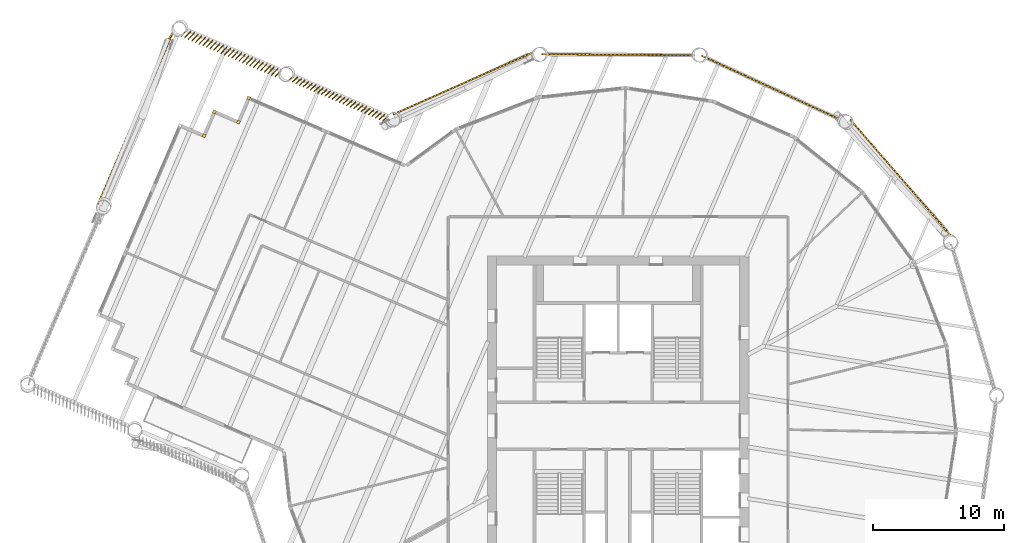
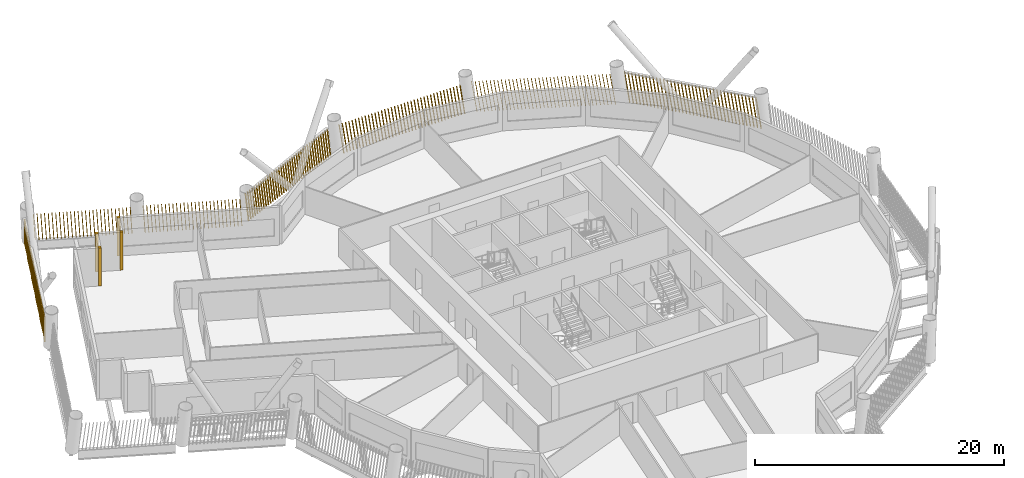
# One storey, part 21 of 22: 11 shading devices.
"""IFC4 building model written with IfcOpenShell, lengths in metres."""

from ifc_helpers import new_model, si_unit, direction, frame, frame_2d, origin, origin_2d, place, context, subcontext, project, spatial, rectangle, composite_profile, extrude, material, type_object, element, save


model = new_model("IFC4")

# Units and contexts
model_context = context("Model", 3, precision=1e-05, world=origin(), true_north=direction((0.0, 1.0)))
body_context = subcontext(model_context, "Body", "Model", "MODEL_VIEW")
ifc_project = project(units=[si_unit("LENGTHUNIT", "METRE"), si_unit("AREAUNIT", "SQUARE_METRE"), si_unit("VOLUMEUNIT", "CUBIC_METRE"), si_unit("PLANEANGLEUNIT", "RADIAN"), si_unit("MASSUNIT", "GRAM", prefix="KILO")], contexts=[model_context])

# Site, building, storey
site_placement = place(None, origin())
site = spatial("IfcSite", under=ifc_project, at=site_placement, CompositionType="ELEMENT")
building_placement = place(site_placement, origin())
building = spatial("IfcBuilding", under=site, at=building_placement, Name="Tarsis Ring Headquarters", CompositionType="ELEMENT")
storey_placement = place(building_placement, frame((0.0, 0.0, 186.60009765625)))
storey = spatial("IfcBuildingStorey", under=building, at=storey_placement, Name="L43", CompositionType="ELEMENT", Elevation=186.60009765625)

# Shading devices
ifc_material = material(Name="Terracotta baguette", Category="masonry")
shading_device_type_1 = type_object("IfcShadingDeviceType", Name="Terracotta baguette screen", PredefinedType="USERDEFINED", material=ifc_material)
shading_device_1_placement = place(storey_placement, frame((25.426025390625, 14.591064453125, 0.0), z_axis=(0.0, 0.0, 1.0), x_axis=(-0.654888768313, 0.755724362453, 0.0)))
element("IfcShadingDevice", 1, at=shading_device_1_placement, inside=storey, type_object=shading_device_type_1, Name="Baguette screen L43-11", ObjectType="Terracotta baguette screen", PredefinedType="USERDEFINED", context=body_context, shape_type="SweptSolid", body=[
    extrude(composite_profile([rectangle(XDim=0.06005859375, YDim=0.1201171875, at=frame_2d((0.030029296875, 0.0))), rectangle(XDim=0.06005859375, YDim=0.1201171875, at=frame_2d((0.33251953125, 0.0))), rectangle(XDim=0.06005859375, YDim=0.1201171875, at=frame_2d((0.634765625, 0.0))), rectangle(XDim=0.06005859375, YDim=0.1201171875, at=frame_2d((0.937255859375, 0.0))), rectangle(XDim=0.06005859375, YDim=0.1201171875, at=frame_2d((1.239501953125, 0.0))), rectangle(XDim=0.06005859375, YDim=0.1201171875, at=frame_2d((1.5419921875, 0.0))), rectangle(XDim=0.06005859375, YDim=0.1201171875, at=frame_2d((1.844482421875, 0.0))), rectangle(XDim=0.06005859375, YDim=0.1201171875, at=frame_2d((2.146728515625, 0.0))), rectangle(XDim=0.06005859375, YDim=0.1201171875, at=frame_2d((2.44921875, 0.0))), rectangle(XDim=0.06005859375, YDim=0.1201171875, at=frame_2d((2.751708984375, 0.0))), rectangle(XDim=0.06005859375, YDim=0.1201171875, at=frame_2d((3.053955078125, 0.0))), rectangle(XDim=0.06005859375, YDim=0.1201171875, at=frame_2d((3.3564453125, 0.0))), rectangle(XDim=0.06005859375, YDim=0.1201171875, at=frame_2d((3.65869140625, 0.0))), rectangle(XDim=0.06005859375, YDim=0.1201171875, at=frame_2d((3.961181640625, 0.0))), rectangle(XDim=0.06005859375, YDim=0.1201171875, at=frame_2d((4.263671875, 0.0))), rectangle(XDim=0.06005859375, YDim=0.1201171875, at=frame_2d((4.56591796875, 0.0))), rectangle(XDim=0.06005859375, YDim=0.1201171875, at=frame_2d((4.868408203125, 0.0))), rectangle(XDim=0.06005859375, YDim=0.1201171875, at=frame_2d((5.1708984375, 0.0))), rectangle(XDim=0.06005859375, YDim=0.1201171875, at=frame_2d((5.47314453125, 0.0))), rectangle(XDim=0.06005859375, YDim=0.1201171875, at=frame_2d((5.775634765625, 0.0))), rectangle(XDim=0.06005859375, YDim=0.1201171875, at=frame_2d((6.077880859375, 0.0))), rectangle(XDim=0.06005859375, YDim=0.1201171875, at=frame_2d((6.38037109375, 0.0))), rectangle(XDim=0.06005859375, YDim=0.1201171875, at=frame_2d((6.682861328125, 0.0))), rectangle(XDim=0.06005859375, YDim=0.1201171875, at=frame_2d((6.985107421875, 0.0))), rectangle(XDim=0.06005859375, YDim=0.1201171875, at=frame_2d((7.28759765625, 0.0))), rectangle(XDim=0.06005859375, YDim=0.1201171875, at=frame_2d((7.590087890625, 0.0))), rectangle(XDim=0.06005859375, YDim=0.1201171875, at=frame_2d((7.892333984375, 0.0))), rectangle(XDim=0.06005859375, YDim=0.1201171875, at=frame_2d((8.19482421875, 0.0))), rectangle(XDim=0.06005859375, YDim=0.1201171875, at=frame_2d((8.4970703125, 0.0))), rectangle(XDim=0.06005859375, YDim=0.1201171875, at=frame_2d((8.799560546875, 0.0))), rectangle(XDim=0.06005859375, YDim=0.1201171875, at=frame_2d((9.10205078125, 0.0))), rectangle(XDim=0.06005859375, YDim=0.1201171875, at=frame_2d((9.404296875, 0.0))), rectangle(XDim=0.06005859375, YDim=0.1201171875, at=frame_2d((9.706787109375, 0.0))), rectangle(XDim=0.06005859375, YDim=0.1201171875, at=frame_2d((10.00927734375, 0.0))), rectangle(XDim=0.06005859375, YDim=0.1201171875, at=frame_2d((10.3115234375, 0.0))), rectangle(XDim=0.06005859375, YDim=0.1201171875, at=frame_2d((10.614013671875, 0.0))), rectangle(XDim=0.06005859375, YDim=0.1201171875, at=frame_2d((10.916259765625, 0.0))), rectangle(XDim=0.06005859375, YDim=0.1201171875, at=frame_2d((11.21875, 0.0)))]), origin(), (0.15142527046, 0.00118949605, 0.988467992686), 2.984375),
])
shading_device_2_placement = place(storey_placement, frame((16.994384765625, 23.43359375, 0.0), z_axis=(0.0, 0.0, 1.0), x_axis=(-0.908171459577, 0.418600108519, 0.0)))
element("IfcShadingDevice", 2, at=shading_device_2_placement, inside=storey, type_object=shading_device_type_1, Name="Baguette screen L43-12", ObjectType="Terracotta baguette screen", PredefinedType="USERDEFINED", context=body_context, shape_type="SweptSolid", body=[
    extrude(composite_profile([rectangle(XDim=0.06005859375, YDim=0.1201171875, at=frame_2d((0.030029296875, 0.0))), rectangle(XDim=0.06005859375, YDim=0.1201171875, at=frame_2d((0.33251953125, 0.0))), rectangle(XDim=0.06005859375, YDim=0.1201171875, at=frame_2d((0.634765625, 0.0))), rectangle(XDim=0.06005859375, YDim=0.1201171875, at=frame_2d((0.937255859375, 0.0))), rectangle(XDim=0.06005859375, YDim=0.1201171875, at=frame_2d((1.239501953125, 0.0))), rectangle(XDim=0.06005859375, YDim=0.1201171875, at=frame_2d((1.5419921875, 0.0))), rectangle(XDim=0.06005859375, YDim=0.1201171875, at=frame_2d((1.844482421875, 0.0))), rectangle(XDim=0.06005859375, YDim=0.1201171875, at=frame_2d((2.146728515625, 0.0))), rectangle(XDim=0.06005859375, YDim=0.1201171875, at=frame_2d((2.44921875, 0.0))), rectangle(XDim=0.06005859375, YDim=0.1201171875, at=frame_2d((2.751708984375, 0.0))), rectangle(XDim=0.06005859375, YDim=0.1201171875, at=frame_2d((3.053955078125, 0.0))), rectangle(XDim=0.06005859375, YDim=0.1201171875, at=frame_2d((3.3564453125, 0.0))), rectangle(XDim=0.06005859375, YDim=0.1201171875, at=frame_2d((3.65869140625, 0.0))), rectangle(XDim=0.06005859375, YDim=0.1201171875, at=frame_2d((3.961181640625, 0.0))), rectangle(XDim=0.06005859375, YDim=0.1201171875, at=frame_2d((4.263671875, 0.0))), rectangle(XDim=0.06005859375, YDim=0.1201171875, at=frame_2d((4.56591796875, 0.0))), rectangle(XDim=0.06005859375, YDim=0.1201171875, at=frame_2d((4.868408203125, 0.0))), rectangle(XDim=0.06005859375, YDim=0.1201171875, at=frame_2d((5.1708984375, 0.0))), rectangle(XDim=0.06005859375, YDim=0.1201171875, at=frame_2d((5.47314453125, 0.0))), rectangle(XDim=0.06005859375, YDim=0.1201171875, at=frame_2d((5.775634765625, 0.0))), rectangle(XDim=0.06005859375, YDim=0.1201171875, at=frame_2d((6.077880859375, 0.0))), rectangle(XDim=0.06005859375, YDim=0.1201171875, at=frame_2d((6.38037109375, 0.0))), rectangle(XDim=0.06005859375, YDim=0.1201171875, at=frame_2d((6.682861328125, 0.0))), rectangle(XDim=0.06005859375, YDim=0.1201171875, at=frame_2d((6.985107421875, 0.0))), rectangle(XDim=0.06005859375, YDim=0.1201171875, at=frame_2d((7.28759765625, 0.0))), rectangle(XDim=0.06005859375, YDim=0.1201171875, at=frame_2d((7.590087890625, 0.0))), rectangle(XDim=0.06005859375, YDim=0.1201171875, at=frame_2d((7.892333984375, 0.0))), rectangle(XDim=0.06005859375, YDim=0.1201171875, at=frame_2d((8.19482421875, 0.0))), rectangle(XDim=0.06005859375, YDim=0.1201171875, at=frame_2d((8.4970703125, 0.0))), rectangle(XDim=0.06005859375, YDim=0.1201171875, at=frame_2d((8.799560546875, 0.0))), rectangle(XDim=0.06005859375, YDim=0.1201171875, at=frame_2d((9.10205078125, 0.0))), rectangle(XDim=0.06005859375, YDim=0.1201171875, at=frame_2d((9.404296875, 0.0))), rectangle(XDim=0.06005859375, YDim=0.1201171875, at=frame_2d((9.706787109375, 0.0))), rectangle(XDim=0.06005859375, YDim=0.1201171875, at=frame_2d((10.00927734375, 0.0))), rectangle(XDim=0.06005859375, YDim=0.1201171875, at=frame_2d((10.3115234375, 0.0))), rectangle(XDim=0.06005859375, YDim=0.1201171875, at=frame_2d((10.614013671875, 0.0))), rectangle(XDim=0.06005859375, YDim=0.1201171875, at=frame_2d((10.916259765625, 0.0))), rectangle(XDim=0.06005859375, YDim=0.1201171875, at=frame_2d((11.21875, 0.0)))]), origin(), (0.149496042318, 0.001174066178, 0.988761626935), 2.9833984375),
])
shading_device_3_placement = place(storey_placement, frame((5.824462890625, 28.355224609375, 0.0), z_axis=(0.0, 0.0, 1.0), x_axis=(-0.999978296256, 0.007053716766, 0.0)))
element("IfcShadingDevice", 3, at=shading_device_3_placement, inside=storey, type_object=shading_device_type_1, Name="Baguette screen L43-13", ObjectType="Terracotta baguette screen", PredefinedType="USERDEFINED", context=body_context, shape_type="SweptSolid", body=[
    extrude(composite_profile([rectangle(XDim=0.06005859375, YDim=0.1201171875, at=frame_2d((0.030029296875, 0.0))), rectangle(XDim=0.06005859375, YDim=0.1201171875, at=frame_2d((0.33251953125, 0.0))), rectangle(XDim=0.06005859375, YDim=0.1201171875, at=frame_2d((0.634765625, 0.0))), rectangle(XDim=0.06005859375, YDim=0.1201171875, at=frame_2d((0.937255859375, 0.0))), rectangle(XDim=0.06005859375, YDim=0.1201171875, at=frame_2d((1.239501953125, 0.0))), rectangle(XDim=0.06005859375, YDim=0.1201171875, at=frame_2d((1.5419921875, 0.0))), rectangle(XDim=0.06005859375, YDim=0.1201171875, at=frame_2d((1.844482421875, 0.0))), rectangle(XDim=0.06005859375, YDim=0.1201171875, at=frame_2d((2.146728515625, 0.0))), rectangle(XDim=0.06005859375, YDim=0.1201171875, at=frame_2d((2.44921875, 0.0))), rectangle(XDim=0.06005859375, YDim=0.1201171875, at=frame_2d((2.751708984375, 0.0))), rectangle(XDim=0.06005859375, YDim=0.1201171875, at=frame_2d((3.053955078125, 0.0))), rectangle(XDim=0.06005859375, YDim=0.1201171875, at=frame_2d((3.3564453125, 0.0))), rectangle(XDim=0.06005859375, YDim=0.1201171875, at=frame_2d((3.65869140625, 0.0))), rectangle(XDim=0.06005859375, YDim=0.1201171875, at=frame_2d((3.961181640625, 0.0))), rectangle(XDim=0.06005859375, YDim=0.1201171875, at=frame_2d((4.263671875, 0.0))), rectangle(XDim=0.06005859375, YDim=0.1201171875, at=frame_2d((4.56591796875, 0.0))), rectangle(XDim=0.06005859375, YDim=0.1201171875, at=frame_2d((4.868408203125, 0.0))), rectangle(XDim=0.06005859375, YDim=0.1201171875, at=frame_2d((5.1708984375, 0.0))), rectangle(XDim=0.06005859375, YDim=0.1201171875, at=frame_2d((5.47314453125, 0.0))), rectangle(XDim=0.06005859375, YDim=0.1201171875, at=frame_2d((5.775634765625, 0.0))), rectangle(XDim=0.06005859375, YDim=0.1201171875, at=frame_2d((6.077880859375, 0.0))), rectangle(XDim=0.06005859375, YDim=0.1201171875, at=frame_2d((6.38037109375, 0.0))), rectangle(XDim=0.06005859375, YDim=0.1201171875, at=frame_2d((6.682861328125, 0.0))), rectangle(XDim=0.06005859375, YDim=0.1201171875, at=frame_2d((6.985107421875, 0.0))), rectangle(XDim=0.06005859375, YDim=0.1201171875, at=frame_2d((7.28759765625, 0.0))), rectangle(XDim=0.06005859375, YDim=0.1201171875, at=frame_2d((7.590087890625, 0.0))), rectangle(XDim=0.06005859375, YDim=0.1201171875, at=frame_2d((7.892333984375, 0.0))), rectangle(XDim=0.06005859375, YDim=0.1201171875, at=frame_2d((8.19482421875, 0.0))), rectangle(XDim=0.06005859375, YDim=0.1201171875, at=frame_2d((8.4970703125, 0.0))), rectangle(XDim=0.06005859375, YDim=0.1201171875, at=frame_2d((8.799560546875, 0.0))), rectangle(XDim=0.06005859375, YDim=0.1201171875, at=frame_2d((9.10205078125, 0.0))), rectangle(XDim=0.06005859375, YDim=0.1201171875, at=frame_2d((9.404296875, 0.0))), rectangle(XDim=0.06005859375, YDim=0.1201171875, at=frame_2d((9.706787109375, 0.0))), rectangle(XDim=0.06005859375, YDim=0.1201171875, at=frame_2d((10.00927734375, 0.0))), rectangle(XDim=0.06005859375, YDim=0.1201171875, at=frame_2d((10.3115234375, 0.0))), rectangle(XDim=0.06005859375, YDim=0.1201171875, at=frame_2d((10.614013671875, 0.0))), rectangle(XDim=0.06005859375, YDim=0.1201171875, at=frame_2d((10.916259765625, 0.0))), rectangle(XDim=0.06005859375, YDim=0.1201171875, at=frame_2d((11.21875, 0.0)))]), origin(), (0.149496445842, 0.001175196284, 0.988761564582), 2.9833984375),
])
shading_device_4_placement = place(storey_placement, frame((-6.533203125, 28.577880859375, 0.0), z_axis=(0.0, 0.0, 1.0), x_axis=(-0.913988062941, -0.405751492132, 0.0)))
element("IfcShadingDevice", 4, at=shading_device_4_placement, inside=storey, type_object=shading_device_type_1, Name="Baguette screen L43-14", ObjectType="Terracotta baguette screen", PredefinedType="USERDEFINED", context=body_context, shape_type="SweptSolid", body=[
    extrude(composite_profile([rectangle(XDim=0.06005859375, YDim=0.1201171875, at=frame_2d((0.030029296875, 0.0))), rectangle(XDim=0.06005859375, YDim=0.1201171875, at=frame_2d((0.33251953125, 0.0))), rectangle(XDim=0.06005859375, YDim=0.1201171875, at=frame_2d((0.634765625, 0.0))), rectangle(XDim=0.06005859375, YDim=0.1201171875, at=frame_2d((0.937255859375, 0.0))), rectangle(XDim=0.06005859375, YDim=0.1201171875, at=frame_2d((1.239501953125, 0.0))), rectangle(XDim=0.06005859375, YDim=0.1201171875, at=frame_2d((1.5419921875, 0.0))), rectangle(XDim=0.06005859375, YDim=0.1201171875, at=frame_2d((1.844482421875, 0.0))), rectangle(XDim=0.06005859375, YDim=0.1201171875, at=frame_2d((2.146728515625, 0.0))), rectangle(XDim=0.06005859375, YDim=0.1201171875, at=frame_2d((2.44921875, 0.0))), rectangle(XDim=0.06005859375, YDim=0.1201171875, at=frame_2d((2.751708984375, 0.0))), rectangle(XDim=0.06005859375, YDim=0.1201171875, at=frame_2d((3.053955078125, 0.0))), rectangle(XDim=0.06005859375, YDim=0.1201171875, at=frame_2d((3.3564453125, 0.0))), rectangle(XDim=0.06005859375, YDim=0.1201171875, at=frame_2d((3.65869140625, 0.0))), rectangle(XDim=0.06005859375, YDim=0.1201171875, at=frame_2d((3.961181640625, 0.0))), rectangle(XDim=0.06005859375, YDim=0.1201171875, at=frame_2d((4.263671875, 0.0))), rectangle(XDim=0.06005859375, YDim=0.1201171875, at=frame_2d((4.56591796875, 0.0))), rectangle(XDim=0.06005859375, YDim=0.1201171875, at=frame_2d((4.868408203125, 0.0))), rectangle(XDim=0.06005859375, YDim=0.1201171875, at=frame_2d((5.1708984375, 0.0))), rectangle(XDim=0.06005859375, YDim=0.1201171875, at=frame_2d((5.47314453125, 0.0))), rectangle(XDim=0.06005859375, YDim=0.1201171875, at=frame_2d((5.775634765625, 0.0))), rectangle(XDim=0.06005859375, YDim=0.1201171875, at=frame_2d((6.077880859375, 0.0))), rectangle(XDim=0.06005859375, YDim=0.1201171875, at=frame_2d((6.38037109375, 0.0))), rectangle(XDim=0.06005859375, YDim=0.1201171875, at=frame_2d((6.682861328125, 0.0))), rectangle(XDim=0.06005859375, YDim=0.1201171875, at=frame_2d((6.985107421875, 0.0))), rectangle(XDim=0.06005859375, YDim=0.1201171875, at=frame_2d((7.28759765625, 0.0))), rectangle(XDim=0.06005859375, YDim=0.1201171875, at=frame_2d((7.590087890625, 0.0))), rectangle(XDim=0.06005859375, YDim=0.1201171875, at=frame_2d((7.892333984375, 0.0))), rectangle(XDim=0.06005859375, YDim=0.1201171875, at=frame_2d((8.19482421875, 0.0))), rectangle(XDim=0.06005859375, YDim=0.1201171875, at=frame_2d((8.4970703125, 0.0))), rectangle(XDim=0.06005859375, YDim=0.1201171875, at=frame_2d((8.799560546875, 0.0))), rectangle(XDim=0.06005859375, YDim=0.1201171875, at=frame_2d((9.10205078125, 0.0))), rectangle(XDim=0.06005859375, YDim=0.1201171875, at=frame_2d((9.404296875, 0.0))), rectangle(XDim=0.06005859375, YDim=0.1201171875, at=frame_2d((9.706787109375, 0.0))), rectangle(XDim=0.06005859375, YDim=0.1201171875, at=frame_2d((10.00927734375, 0.0))), rectangle(XDim=0.06005859375, YDim=0.1201171875, at=frame_2d((10.3115234375, 0.0))), rectangle(XDim=0.06005859375, YDim=0.1201171875, at=frame_2d((10.614013671875, 0.0))), rectangle(XDim=0.06005859375, YDim=0.1201171875, at=frame_2d((10.916259765625, 0.0))), rectangle(XDim=0.06005859375, YDim=0.1201171875, at=frame_2d((11.21875, 0.0)))]), origin(), (0.151425805755, 0.00119088129, 0.988467909015), 2.984375),
])
shading_device_5_placement = place(storey_placement, frame((-17.57861328125, 23.665283203125, 0.0), z_axis=(0.0, 0.0, 1.0), x_axis=(-0.918716015818, 0.394896193772, 0.0)))
element("IfcShadingDevice", 5, at=shading_device_5_placement, inside=storey, type_object=shading_device_type_1, Name="Baguette screen L43-15", ObjectType="Terracotta baguette screen", PredefinedType="USERDEFINED", context=body_context, shape_type="SweptSolid", body=[
    extrude(composite_profile([rectangle(XDim=0.06005859375, YDim=0.1201171875, at=frame_2d((0.030029296875, 0.0))), rectangle(XDim=0.06005859375, YDim=0.1201171875, at=frame_2d((0.33154296875, 0.0))), rectangle(XDim=0.06005859375, YDim=0.1201171875, at=frame_2d((0.63330078125, 0.0))), rectangle(XDim=0.06005859375, YDim=0.1201171875, at=frame_2d((0.934814453125, 0.0))), rectangle(XDim=0.06005859375, YDim=0.1201171875, at=frame_2d((1.236572265625, 0.0))), rectangle(XDim=0.06005859375, YDim=0.1201171875, at=frame_2d((1.5380859375, 0.0))), rectangle(XDim=0.06005859375, YDim=0.1201171875, at=frame_2d((1.83984375, 0.0))), rectangle(XDim=0.06005859375, YDim=0.1201171875, at=frame_2d((2.141357421875, 0.0))), rectangle(XDim=0.06005859375, YDim=0.1201171875, at=frame_2d((2.443115234375, 0.0))), rectangle(XDim=0.06005859375, YDim=0.1201171875, at=frame_2d((2.74462890625, 0.0))), rectangle(XDim=0.06005859375, YDim=0.1201171875, at=frame_2d((3.04638671875, 0.0))), rectangle(XDim=0.06005859375, YDim=0.1201171875, at=frame_2d((3.347900390625, 0.0))), rectangle(XDim=0.06005859375, YDim=0.1201171875, at=frame_2d((3.649658203125, 0.0))), rectangle(XDim=0.06005859375, YDim=0.1201171875, at=frame_2d((3.951171875, 0.0))), rectangle(XDim=0.06005859375, YDim=0.1201171875, at=frame_2d((4.252685546875, 0.0))), rectangle(XDim=0.06005859375, YDim=0.1201171875, at=frame_2d((4.554443359375, 0.0))), rectangle(XDim=0.06005859375, YDim=0.1201171875, at=frame_2d((4.85595703125, 0.0))), rectangle(XDim=0.06005859375, YDim=0.1201171875, at=frame_2d((5.15771484375, 0.0))), rectangle(XDim=0.06005859375, YDim=0.1201171875, at=frame_2d((5.459228515625, 0.0))), rectangle(XDim=0.06005859375, YDim=0.1201171875, at=frame_2d((5.760986328125, 0.0))), rectangle(XDim=0.06005859375, YDim=0.1201171875, at=frame_2d((6.0625, 0.0))), rectangle(XDim=0.06005859375, YDim=0.1201171875, at=frame_2d((6.3642578125, 0.0))), rectangle(XDim=0.06005859375, YDim=0.1201171875, at=frame_2d((6.665771484375, 0.0))), rectangle(XDim=0.06005859375, YDim=0.1201171875, at=frame_2d((6.967529296875, 0.0))), rectangle(XDim=0.06005859375, YDim=0.1201171875, at=frame_2d((7.26904296875, 0.0))), rectangle(XDim=0.06005859375, YDim=0.1201171875, at=frame_2d((7.57080078125, 0.0))), rectangle(XDim=0.06005859375, YDim=0.1201171875, at=frame_2d((7.872314453125, 0.0)))]), origin(), (0.076405332746, 0.155039787078, 0.984949181202), 2.9951171875),
])
shading_device_6_placement = place(storey_placement, frame((-25.75732421875, 27.180908203125, 0.0), z_axis=(0.0, 0.0, 1.0), x_axis=(-0.918716015818, 0.394896193772, 0.0)))
element("IfcShadingDevice", 6, at=shading_device_6_placement, inside=storey, type_object=shading_device_type_1, Name="Baguette screen L43-16", ObjectType="Terracotta baguette screen", PredefinedType="USERDEFINED", context=body_context, shape_type="SweptSolid", body=[
    extrude(composite_profile([rectangle(XDim=0.06005859375, YDim=0.1201171875, at=frame_2d((0.030029296875, 0.0))), rectangle(XDim=0.06005859375, YDim=0.1201171875, at=frame_2d((0.33154296875, 0.0))), rectangle(XDim=0.06005859375, YDim=0.1201171875, at=frame_2d((0.63330078125, 0.0))), rectangle(XDim=0.06005859375, YDim=0.1201171875, at=frame_2d((0.934814453125, 0.0))), rectangle(XDim=0.06005859375, YDim=0.1201171875, at=frame_2d((1.236572265625, 0.0))), rectangle(XDim=0.06005859375, YDim=0.1201171875, at=frame_2d((1.5380859375, 0.0))), rectangle(XDim=0.06005859375, YDim=0.1201171875, at=frame_2d((1.83984375, 0.0))), rectangle(XDim=0.06005859375, YDim=0.1201171875, at=frame_2d((2.141357421875, 0.0))), rectangle(XDim=0.06005859375, YDim=0.1201171875, at=frame_2d((2.443115234375, 0.0))), rectangle(XDim=0.06005859375, YDim=0.1201171875, at=frame_2d((2.74462890625, 0.0))), rectangle(XDim=0.06005859375, YDim=0.1201171875, at=frame_2d((3.04638671875, 0.0))), rectangle(XDim=0.06005859375, YDim=0.1201171875, at=frame_2d((3.347900390625, 0.0))), rectangle(XDim=0.06005859375, YDim=0.1201171875, at=frame_2d((3.649658203125, 0.0))), rectangle(XDim=0.06005859375, YDim=0.1201171875, at=frame_2d((3.951171875, 0.0))), rectangle(XDim=0.06005859375, YDim=0.1201171875, at=frame_2d((4.252685546875, 0.0))), rectangle(XDim=0.06005859375, YDim=0.1201171875, at=frame_2d((4.554443359375, 0.0))), rectangle(XDim=0.06005859375, YDim=0.1201171875, at=frame_2d((4.85595703125, 0.0))), rectangle(XDim=0.06005859375, YDim=0.1201171875, at=frame_2d((5.15771484375, 0.0))), rectangle(XDim=0.06005859375, YDim=0.1201171875, at=frame_2d((5.459228515625, 0.0))), rectangle(XDim=0.06005859375, YDim=0.1201171875, at=frame_2d((5.760986328125, 0.0))), rectangle(XDim=0.06005859375, YDim=0.1201171875, at=frame_2d((6.0625, 0.0))), rectangle(XDim=0.06005859375, YDim=0.1201171875, at=frame_2d((6.3642578125, 0.0))), rectangle(XDim=0.06005859375, YDim=0.1201171875, at=frame_2d((6.665771484375, 0.0))), rectangle(XDim=0.06005859375, YDim=0.1201171875, at=frame_2d((6.967529296875, 0.0))), rectangle(XDim=0.06005859375, YDim=0.1201171875, at=frame_2d((7.26904296875, 0.0))), rectangle(XDim=0.06005859375, YDim=0.1201171875, at=frame_2d((7.57080078125, 0.0))), rectangle(XDim=0.06005859375, YDim=0.1201171875, at=frame_2d((7.872314453125, 0.0)))]), origin(), (0.07541542869, 0.200072672257, 0.97687432095), 3.019775390625),
])
shading_device_7_placement = place(storey_placement, frame((-34.018798828125, 30.187744140625, 0.0), z_axis=(0.0, 0.0, 1.0), x_axis=(-0.394887218045, -0.918726227333, 0.0)))
element("IfcShadingDevice", 7, at=shading_device_7_placement, inside=storey, type_object=shading_device_type_1, Name="Baguette screen L43-17", ObjectType="Terracotta baguette screen", PredefinedType="USERDEFINED", context=body_context, shape_type="SweptSolid", body=[
    extrude(composite_profile([rectangle(XDim=0.06005859375, YDim=0.1201171875, at=frame_2d((0.030029296875, 0.0))), rectangle(XDim=0.06005859375, YDim=0.1201171875, at=frame_2d((0.33544921875, 0.0))), rectangle(XDim=0.06005859375, YDim=0.1201171875, at=frame_2d((0.640625, 0.0))), rectangle(XDim=0.06005859375, YDim=0.1201171875, at=frame_2d((0.946044921875, 0.0))), rectangle(XDim=0.06005859375, YDim=0.1201171875, at=frame_2d((1.25146484375, 0.0))), rectangle(XDim=0.06005859375, YDim=0.1201171875, at=frame_2d((1.556640625, 0.0))), rectangle(XDim=0.06005859375, YDim=0.1201171875, at=frame_2d((1.862060546875, 0.0))), rectangle(XDim=0.06005859375, YDim=0.1201171875, at=frame_2d((2.16748046875, 0.0))), rectangle(XDim=0.06005859375, YDim=0.1201171875, at=frame_2d((2.47265625, 0.0))), rectangle(XDim=0.06005859375, YDim=0.1201171875, at=frame_2d((2.778076171875, 0.0))), rectangle(XDim=0.06005859375, YDim=0.1201171875, at=frame_2d((3.08349609375, 0.0))), rectangle(XDim=0.06005859375, YDim=0.1201171875, at=frame_2d((3.388671875, 0.0))), rectangle(XDim=0.06005859375, YDim=0.1201171875, at=frame_2d((3.694091796875, 0.0))), rectangle(XDim=0.06005859375, YDim=0.1201171875, at=frame_2d((3.99951171875, 0.0))), rectangle(XDim=0.06005859375, YDim=0.1201171875, at=frame_2d((4.3046875, 0.0))), rectangle(XDim=0.06005859375, YDim=0.1201171875, at=frame_2d((4.610107421875, 0.0))), rectangle(XDim=0.06005859375, YDim=0.1201171875, at=frame_2d((4.91552734375, 0.0))), rectangle(XDim=0.06005859375, YDim=0.1201171875, at=frame_2d((5.220703125, 0.0))), rectangle(XDim=0.06005859375, YDim=0.1201171875, at=frame_2d((5.526123046875, 0.0))), rectangle(XDim=0.06005859375, YDim=0.1201171875, at=frame_2d((5.83154296875, 0.0))), rectangle(XDim=0.06005859375, YDim=0.1201171875, at=frame_2d((6.13671875, 0.0))), rectangle(XDim=0.06005859375, YDim=0.1201171875, at=frame_2d((6.442138671875, 0.0))), rectangle(XDim=0.06005859375, YDim=0.1201171875, at=frame_2d((6.74755859375, 0.0))), rectangle(XDim=0.06005859375, YDim=0.1201171875, at=frame_2d((7.052734375, 0.0))), rectangle(XDim=0.06005859375, YDim=0.1201171875, at=frame_2d((7.358154296875, 0.0))), rectangle(XDim=0.06005859375, YDim=0.1201171875, at=frame_2d((7.66357421875, 0.0))), rectangle(XDim=0.06005859375, YDim=0.1201171875, at=frame_2d((7.96875, 0.0))), rectangle(XDim=0.06005859375, YDim=0.1201171875, at=frame_2d((8.274169921875, 0.0))), rectangle(XDim=0.06005859375, YDim=0.1201171875, at=frame_2d((8.57958984375, 0.0))), rectangle(XDim=0.06005859375, YDim=0.1201171875, at=frame_2d((8.884765625, 0.0))), rectangle(XDim=0.06005859375, YDim=0.1201171875, at=frame_2d((9.190185546875, 0.0))), rectangle(XDim=0.06005859375, YDim=0.1201171875, at=frame_2d((9.49560546875, 0.0))), rectangle(XDim=0.06005859375, YDim=0.1201171875, at=frame_2d((9.80078125, 0.0))), rectangle(XDim=0.06005859375, YDim=0.1201171875, at=frame_2d((10.106201171875, 0.0))), rectangle(XDim=0.06005859375, YDim=0.1201171875, at=frame_2d((10.41162109375, 0.0))), rectangle(XDim=0.06005859375, YDim=0.1201171875, at=frame_2d((10.716796875, 0.0))), rectangle(XDim=0.06005859375, YDim=0.1201171875, at=frame_2d((11.022216796875, 0.0))), rectangle(XDim=0.06005859375, YDim=0.1201171875, at=frame_2d((11.32763671875, 0.0))), rectangle(XDim=0.06005859375, YDim=0.1201171875, at=frame_2d((11.6328125, 0.0))), rectangle(XDim=0.06005859375, YDim=0.1201171875, at=frame_2d((11.938232421875, 0.0))), rectangle(XDim=0.06005859375, YDim=0.1201171875, at=frame_2d((12.24365234375, 0.0))), rectangle(XDim=0.06005859375, YDim=0.1201171875, at=frame_2d((12.548828125, 0.0))), rectangle(XDim=0.06005859375, YDim=0.1201171875, at=frame_2d((12.854248046875, 0.0))), rectangle(XDim=0.06005859375, YDim=0.1201171875, at=frame_2d((13.15966796875, 0.0))), rectangle(XDim=0.06005859375, YDim=0.1201171875, at=frame_2d((13.46484375, 0.0))), rectangle(XDim=0.06005859375, YDim=0.1201171875, at=frame_2d((13.770263671875, 0.0)))]), origin(), (0.22418020837, -0.036617640406, 0.973859529186), 3.029052734375),
])
shading_device_type_2 = type_object("IfcShadingDeviceType", Name="Terracotta corner baguette 250x250", PredefinedType="USERDEFINED", material=ifc_material)
for number, where, z_axis, x_axis, name in (
    (8, (-28.269775390625, 25.076904296875, 0.0), (0.0, 0.0, 1.0), (-0.918722327925, 0.39490414555, 0.0), "Corner baguette L43-32"),
    (9, (-29.0595703125, 23.239501953125, 0.0), (0.0, 0.0, 1.0), (-0.394904386071, -0.918722224539, 0.0), "Corner baguette L43-33"),
    (10, (-30.89697265625, 24.029296875, 0.0), (0.0, 0.0, 1.0), (-0.918722410633, 0.394903953133, 0.0), "Corner baguette L43-34"),
    (11, (-31.686767578125, 22.19189453125, 0.0), (0.0, 0.0, 1.0), (-0.394903712612, -0.918722514019, 0.0), "Corner baguette L43-35"),
):
    element("IfcShadingDevice", number, at=place(storey_placement, frame(where, z_axis=z_axis, x_axis=x_axis)), inside=storey, type_object=shading_device_type_2, Name=name, ObjectType="Terracotta corner baguette", PredefinedType="USERDEFINED", context=body_context, shape_type="SweptSolid", body=[
        extrude(rectangle(XDim=0.25, YDim=0.25, at=origin_2d()), origin(), (0.0, 0.0, 1.0), 3.739990234375),
    ])

save(model, "model.ifc")
